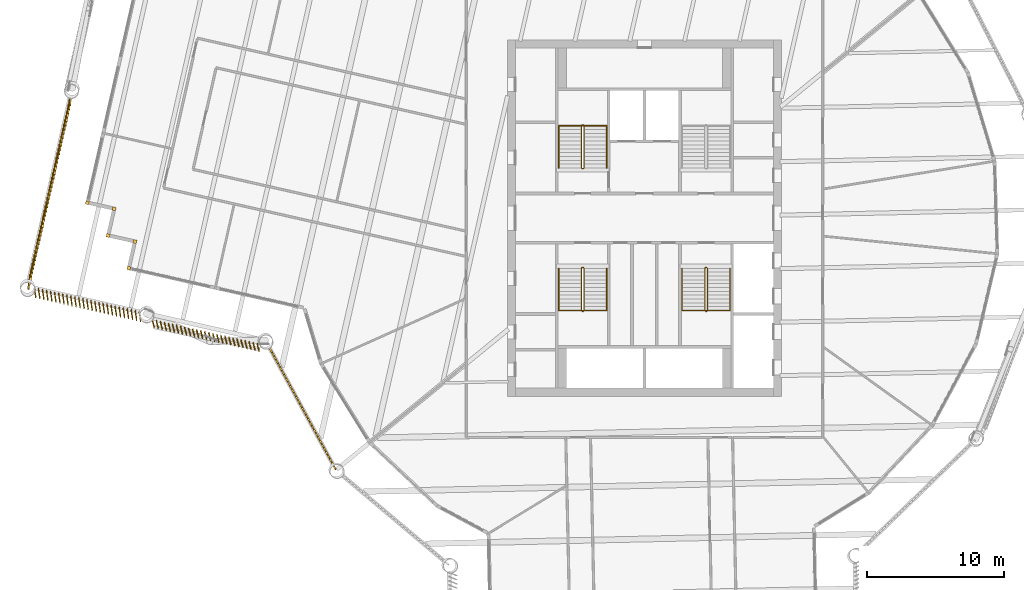
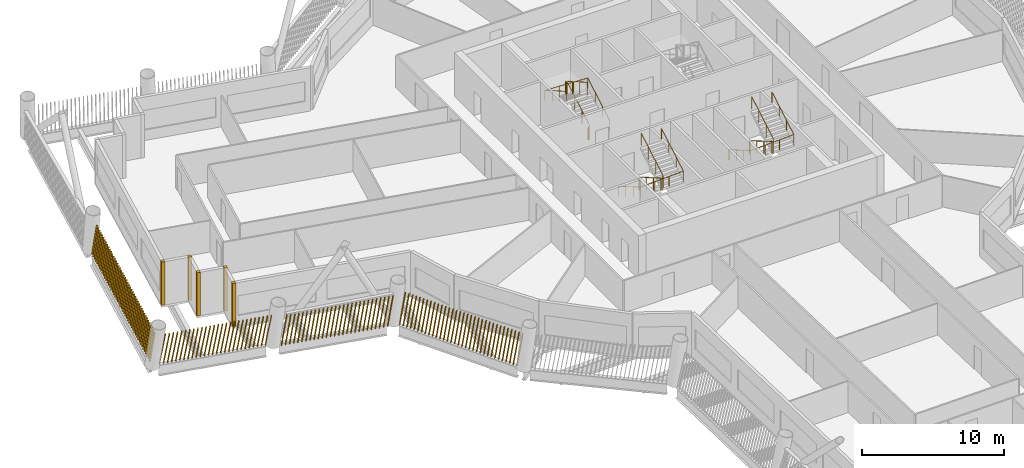
# One storey, part 20 of 23: 9 shading devices, 6 railings.
"""IFC4 building model written with IfcOpenShell, lengths in metres."""

from ifc_helpers import new_model, si_unit, direction, frame, frame_2d, origin, origin_2d, place, context, subcontext, project, spatial, rectangle, circle, composite_profile, extrude, material, type_object, element, save


model = new_model("IFC4")

# Units and contexts
model_context = context("Model", 3, precision=1e-05, world=origin(), true_north=direction((0.0, 1.0)))
body_context = subcontext(model_context, "Body", "Model", "MODEL_VIEW")
ifc_project = project(units=[si_unit("LENGTHUNIT", "METRE"), si_unit("AREAUNIT", "SQUARE_METRE"), si_unit("VOLUMEUNIT", "CUBIC_METRE"), si_unit("PLANEANGLEUNIT", "RADIAN"), si_unit("MASSUNIT", "GRAM", prefix="KILO")], contexts=[model_context])

# Site, building, storey
site_placement = place(None, origin())
site = spatial("IfcSite", under=ifc_project, at=site_placement, CompositionType="ELEMENT")
building_placement = place(site_placement, origin())
building = spatial("IfcBuilding", under=site, at=building_placement, Name="Tarsis Ring Headquarters", CompositionType="ELEMENT")
storey_placement = place(building_placement, frame((0.0, 0.0, 231.60009765625)))
storey = spatial("IfcBuildingStorey", under=building, at=storey_placement, Name="L54", CompositionType="ELEMENT", Elevation=231.60009765625)

# Railings
ifc_material_1 = material(Name="Steel S355", Category="steel")
railing_type_1 = type_object("IfcRailingType", Name="Core stair guard 1100", PredefinedType="GUARDRAIL", material=ifc_material_1)
railing_1_placement = place(storey_placement, frame((-4.5400390625, 3.610107421875, 0.0)))
element("IfcRailing", 1, at=railing_1_placement, inside=storey, type_object=railing_type_1, Name="L54 ST1 stair guard 1", PredefinedType="GUARDRAIL", context=body_context, shape_type="SweptSolid", body=[
    extrude(circle(Radius=0.02392578125, at=origin_2d()), frame((0.0, 0.0, 1.076171875), z_axis=(1.0, 0.0, 0.0), x_axis=(0.0, 1.0, 0.0)), (0.0, 0.0, 1.0), 0.080078125),
    extrude(circle(Radius=0.02392578125, at=origin_2d()), frame((0.080078125, 0.0, 1.076171875), z_axis=(0.282693820306, 0.281314826061, 0.917031173188), x_axis=(-0.705375805398, 0.708833529934, 0.0)), (0.0, 0.0, 1.0), 0.177001953125),
    extrude(circle(Radius=0.02392578125, at=origin_2d()), frame((0.130126953125, 0.0498046875, 1.23828125), z_axis=(0.0, 0.864890721111, 0.501960198159), x_axis=(-1.0, 0.0, 0.0)), (0.0, 0.0, 1.0), 3.561279296875),
    extrude(circle(Radius=0.02392578125, at=origin_2d()), frame((0.130126953125, 3.1298828125, 3.02587890625), z_axis=(-0.707106781187, 0.707106781187, 0.0), x_axis=(-0.707106781187, -0.707106781187, 0.0)), (0.0, 0.0, 1.0), 0.07080078125),
    extrude(circle(Radius=0.02392578125, at=origin_2d()), frame((0.080078125, 3.179931640625, 3.02587890625), z_axis=(-1.0, 0.0, 0.0), x_axis=(0.0, -1.0, 0.0)), (0.0, 0.0, 1.0), 0.080078125),
    extrude(circle(Radius=0.02392578125, at=origin_2d()), frame((0.0, 3.179931640625, 3.02587890625), z_axis=(-0.282583949758, -0.282583949758, 0.916674763849), x_axis=(0.707106781187, -0.707106781187, 0.0)), (0.0, 0.0, 1.0), 0.177001953125),
    extrude(circle(Radius=0.02392578125, at=origin_2d()), frame((-0.050048828125, 3.1298828125, 3.1884765625), z_axis=(0.0, -0.864890721111, 0.501960198159), x_axis=(1.0, 0.0, 0.0)), (0.0, 0.0, 1.0), 3.561279296875),
    extrude(circle(Radius=0.02099609375, at=origin_2d()), origin(), (0.0, 0.0, 1.0), 1.052001953125),
    extrude(circle(Radius=0.02099609375, at=origin_2d()), frame((0.080078125, 0.0, 0.0)), (0.0, 0.0, 1.0), 1.052001953125),
    extrude(circle(Radius=0.02099609375, at=origin_2d()), frame((0.130126953125, 0.0498046875, 0.162353515625)), (0.0, 0.0, 1.0), 1.052001953125),
    extrude(circle(Radius=0.02099609375, at=origin_2d()), frame((0.130126953125, 1.076416015625, 0.75830078125)), (0.0, 0.0, 1.0), 1.052001953125),
    extrude(circle(Radius=0.02099609375, at=origin_2d()), frame((0.130126953125, 2.103271484375, 1.35400390625)), (0.0, 0.0, 1.0), 1.052001953125),
    extrude(circle(Radius=0.02099609375, at=origin_2d()), frame((0.130126953125, 3.1298828125, 1.949951171875)), (0.0, 0.0, 1.0), 1.052001953125),
    extrude(circle(Radius=0.02099609375, at=origin_2d()), frame((0.080078125, 3.179931640625, 1.949951171875)), (0.0, 0.0, 1.0), 1.052001953125),
    extrude(circle(Radius=0.02099609375, at=origin_2d()), frame((0.0, 3.179931640625, 1.949951171875)), (0.0, 0.0, 1.0), 1.052001953125),
    extrude(circle(Radius=0.02099609375, at=origin_2d()), frame((-0.050048828125, 3.1298828125, 2.1123046875)), (0.0, 0.0, 1.0), 1.052001953125),
    extrude(circle(Radius=0.02099609375, at=origin_2d()), frame((-0.050048828125, 2.103271484375, 2.708251953125)), (0.0, 0.0, 1.0), 1.052001953125),
    extrude(circle(Radius=0.02099609375, at=origin_2d()), frame((-0.050048828125, 1.076416015625, 3.303955078125)), (0.0, 0.0, 1.0), 1.052001953125),
    extrude(circle(Radius=0.02099609375, at=origin_2d()), frame((-0.050048828125, 0.0498046875, 3.89990234375)), (0.0, 0.0, 1.0), 1.052001953125),
])
railing_2_placement = place(storey_placement, frame((-4.4599609375, -3.610107421875, 0.0)))
element("IfcRailing", 2, at=railing_2_placement, inside=storey, type_object=railing_type_1, Name="L54 ST3 stair guard 1", PredefinedType="GUARDRAIL", context=body_context, shape_type="SweptSolid", body=[
    extrude(circle(Radius=0.02392578125, at=origin_2d()), frame((0.0, 0.0, 1.076171875), z_axis=(-1.0, 0.0, 0.0), x_axis=(0.0, -1.0, 0.0)), (0.0, 0.0, 1.0), 0.080078125),
    extrude(circle(Radius=0.02392578125, at=origin_2d()), frame((-0.080078125, 0.0, 1.076171875), z_axis=(-0.282693820306, -0.281314826061, 0.917031173188), x_axis=(0.705375805398, -0.708833529934, 0.0)), (0.0, 0.0, 1.0), 0.177001953125),
    extrude(circle(Radius=0.02392578125, at=origin_2d()), frame((-0.130126953125, -0.0498046875, 1.23828125), z_axis=(0.0, -0.864890721111, 0.501960198159), x_axis=(1.0, 0.0, 0.0)), (0.0, 0.0, 1.0), 3.561279296875),
    extrude(circle(Radius=0.02392578125, at=origin_2d()), frame((-0.130126953125, -3.1298828125, 3.02587890625), z_axis=(0.707106781187, -0.707106781187, 0.0), x_axis=(0.707106781187, 0.707106781187, 0.0)), (0.0, 0.0, 1.0), 0.07080078125),
    extrude(circle(Radius=0.02392578125, at=origin_2d()), frame((-0.080078125, -3.179931640625, 3.02587890625), z_axis=(1.0, 0.0, 0.0), x_axis=(0.0, 1.0, 0.0)), (0.0, 0.0, 1.0), 0.080078125),
    extrude(circle(Radius=0.02392578125, at=origin_2d()), frame((0.0, -3.179931640625, 3.02587890625), z_axis=(0.282583949758, 0.282583949758, 0.916674763849), x_axis=(-0.707106781187, 0.707106781187, 0.0)), (0.0, 0.0, 1.0), 0.177001953125),
    extrude(circle(Radius=0.02392578125, at=origin_2d()), frame((0.050048828125, -3.1298828125, 3.1884765625), z_axis=(0.0, 0.864890721111, 0.501960198159), x_axis=(-1.0, 0.0, 0.0)), (0.0, 0.0, 1.0), 3.561279296875),
    extrude(circle(Radius=0.02099609375, at=origin_2d()), origin(), (0.0, 0.0, 1.0), 1.052001953125),
    extrude(circle(Radius=0.02099609375, at=origin_2d()), frame((-0.080078125, 0.0, 0.0)), (0.0, 0.0, 1.0), 1.052001953125),
    extrude(circle(Radius=0.02099609375, at=origin_2d()), frame((-0.130126953125, -0.0498046875, 0.162353515625)), (0.0, 0.0, 1.0), 1.052001953125),
    extrude(circle(Radius=0.02099609375, at=origin_2d()), frame((-0.130126953125, -1.076416015625, 0.75830078125)), (0.0, 0.0, 1.0), 1.052001953125),
    extrude(circle(Radius=0.02099609375, at=origin_2d()), frame((-0.130126953125, -2.103271484375, 1.35400390625)), (0.0, 0.0, 1.0), 1.052001953125),
    extrude(circle(Radius=0.02099609375, at=origin_2d()), frame((-0.130126953125, -3.1298828125, 1.949951171875)), (0.0, 0.0, 1.0), 1.052001953125),
    extrude(circle(Radius=0.02099609375, at=origin_2d()), frame((-0.080078125, -3.179931640625, 1.949951171875)), (0.0, 0.0, 1.0), 1.052001953125),
    extrude(circle(Radius=0.02099609375, at=origin_2d()), frame((0.0, -3.179931640625, 1.949951171875)), (0.0, 0.0, 1.0), 1.052001953125),
    extrude(circle(Radius=0.02099609375, at=origin_2d()), frame((0.050048828125, -3.1298828125, 2.1123046875)), (0.0, 0.0, 1.0), 1.052001953125),
    extrude(circle(Radius=0.02099609375, at=origin_2d()), frame((0.050048828125, -2.103271484375, 2.708251953125)), (0.0, 0.0, 1.0), 1.052001953125),
    extrude(circle(Radius=0.02099609375, at=origin_2d()), frame((0.050048828125, -1.076416015625, 3.303955078125)), (0.0, 0.0, 1.0), 1.052001953125),
    extrude(circle(Radius=0.02099609375, at=origin_2d()), frame((0.050048828125, -0.0498046875, 3.89990234375)), (0.0, 0.0, 1.0), 1.052001953125),
])
railing_3_placement = place(storey_placement, frame((4.5400390625, -3.610107421875, 0.0)))
element("IfcRailing", 3, at=railing_3_placement, inside=storey, type_object=railing_type_1, Name="L54 ST4 stair guard 1", PredefinedType="GUARDRAIL", context=body_context, shape_type="SweptSolid", body=[
    extrude(circle(Radius=0.02392578125, at=origin_2d()), frame((0.0, 0.0, 1.076171875), z_axis=(-1.0, 0.0, 0.0), x_axis=(0.0, -1.0, 0.0)), (0.0, 0.0, 1.0), 0.080078125),
    extrude(circle(Radius=0.02392578125, at=origin_2d()), frame((-0.080078125, 0.0, 1.076171875), z_axis=(-0.282693820306, -0.281314826061, 0.917031173188), x_axis=(0.705375805398, -0.708833529934, 0.0)), (0.0, 0.0, 1.0), 0.177001953125),
    extrude(circle(Radius=0.02392578125, at=origin_2d()), frame((-0.130126953125, -0.0498046875, 1.23828125), z_axis=(0.0, -0.864890721111, 0.501960198159), x_axis=(1.0, 0.0, 0.0)), (0.0, 0.0, 1.0), 3.561279296875),
    extrude(circle(Radius=0.02392578125, at=origin_2d()), frame((-0.130126953125, -3.1298828125, 3.02587890625), z_axis=(0.707106781187, -0.707106781187, 0.0), x_axis=(0.707106781187, 0.707106781187, 0.0)), (0.0, 0.0, 1.0), 0.07080078125),
    extrude(circle(Radius=0.02392578125, at=origin_2d()), frame((-0.080078125, -3.179931640625, 3.02587890625), z_axis=(1.0, 0.0, 0.0), x_axis=(0.0, 1.0, 0.0)), (0.0, 0.0, 1.0), 0.080078125),
    extrude(circle(Radius=0.02392578125, at=origin_2d()), frame((0.0, -3.179931640625, 3.02587890625), z_axis=(0.282583949758, 0.282583949758, 0.916674763849), x_axis=(-0.707106781187, 0.707106781187, 0.0)), (0.0, 0.0, 1.0), 0.177001953125),
    extrude(circle(Radius=0.02392578125, at=origin_2d()), frame((0.050048828125, -3.1298828125, 3.1884765625), z_axis=(0.0, 0.864890721111, 0.501960198159), x_axis=(-1.0, 0.0, 0.0)), (0.0, 0.0, 1.0), 3.561279296875),
    extrude(circle(Radius=0.02099609375, at=origin_2d()), origin(), (0.0, 0.0, 1.0), 1.052001953125),
    extrude(circle(Radius=0.02099609375, at=origin_2d()), frame((-0.080078125, 0.0, 0.0)), (0.0, 0.0, 1.0), 1.052001953125),
    extrude(circle(Radius=0.02099609375, at=origin_2d()), frame((-0.130126953125, -0.0498046875, 0.162353515625)), (0.0, 0.0, 1.0), 1.052001953125),
    extrude(circle(Radius=0.02099609375, at=origin_2d()), frame((-0.130126953125, -1.076416015625, 0.75830078125)), (0.0, 0.0, 1.0), 1.052001953125),
    extrude(circle(Radius=0.02099609375, at=origin_2d()), frame((-0.130126953125, -2.103271484375, 1.35400390625)), (0.0, 0.0, 1.0), 1.052001953125),
    extrude(circle(Radius=0.02099609375, at=origin_2d()), frame((-0.130126953125, -3.1298828125, 1.949951171875)), (0.0, 0.0, 1.0), 1.052001953125),
    extrude(circle(Radius=0.02099609375, at=origin_2d()), frame((-0.080078125, -3.179931640625, 1.949951171875)), (0.0, 0.0, 1.0), 1.052001953125),
    extrude(circle(Radius=0.02099609375, at=origin_2d()), frame((0.0, -3.179931640625, 1.949951171875)), (0.0, 0.0, 1.0), 1.052001953125),
    extrude(circle(Radius=0.02099609375, at=origin_2d()), frame((0.050048828125, -3.1298828125, 2.1123046875)), (0.0, 0.0, 1.0), 1.052001953125),
    extrude(circle(Radius=0.02099609375, at=origin_2d()), frame((0.050048828125, -2.103271484375, 2.708251953125)), (0.0, 0.0, 1.0), 1.052001953125),
    extrude(circle(Radius=0.02099609375, at=origin_2d()), frame((0.050048828125, -1.076416015625, 3.303955078125)), (0.0, 0.0, 1.0), 1.052001953125),
    extrude(circle(Radius=0.02099609375, at=origin_2d()), frame((0.050048828125, -0.0498046875, 3.89990234375)), (0.0, 0.0, 1.0), 1.052001953125),
])
railing_type_2 = type_object("IfcRailingType", Name="Core stair handrail 900", PredefinedType="HANDRAIL", material=ifc_material_1)
railing_4_placement = place(storey_placement, frame((-2.75, 3.659912109375, 0.162353515625)))
element("IfcRailing", 4, at=railing_4_placement, inside=storey, type_object=railing_type_2, Name="L54 ST1 stair handrail 1", PredefinedType="HANDRAIL", context=body_context, shape_type="SweptSolid", body=[
    extrude(circle(Radius=0.02392578125, at=origin_2d()), frame((0.0, 0.0, 0.8759765625), z_axis=(0.0, 0.864890721111, 0.501960198159), x_axis=(-1.0, 0.0, 0.0)), (0.0, 0.0, 1.0), 3.561279296875),
    extrude(circle(Radius=0.02392578125, at=origin_2d()), frame((0.0, 3.080078125, 2.66357421875), z_axis=(-0.998925869279, 0.0, 0.04633689335), x_axis=(0.0, -1.0, 0.0)), (0.0, 0.0, 1.0), 3.503662109375),
    extrude(circle(Radius=0.02392578125, at=origin_2d()), frame((-3.5, 3.080078125, 2.82568359375), z_axis=(0.0, -0.864890721111, 0.501960198159), x_axis=(1.0, 0.0, 0.0)), (0.0, 0.0, 1.0), 3.561279296875),
    extrude(circle(Radius=0.02099609375, at=origin_2d()), origin(), (0.0, 0.0, 1.0), 0.851806640625),
    extrude(circle(Radius=0.02099609375, at=origin_2d()), frame((0.0, 1.026611328125, 0.595947265625)), (0.0, 0.0, 1.0), 0.851806640625),
    extrude(circle(Radius=0.02099609375, at=origin_2d()), frame((0.0, 2.053466796875, 1.191650390625)), (0.0, 0.0, 1.0), 0.851806640625),
    extrude(circle(Radius=0.02099609375, at=origin_2d()), frame((0.0, 3.080078125, 1.78759765625)), (0.0, 0.0, 1.0), 0.851806640625),
    extrude(circle(Radius=0.02099609375, at=origin_2d()), frame((-1.166748046875, 3.080078125, 1.841796875)), (0.0, 0.0, 1.0), 0.851806640625),
    extrude(circle(Radius=0.02099609375, at=origin_2d()), frame((-2.333251953125, 3.080078125, 1.895751953125)), (0.0, 0.0, 1.0), 0.851806640625),
    extrude(circle(Radius=0.02099609375, at=origin_2d()), frame((-3.5, 3.080078125, 1.949951171875)), (0.0, 0.0, 1.0), 0.851806640625),
    extrude(circle(Radius=0.02099609375, at=origin_2d()), frame((-3.5, 2.053466796875, 2.5458984375)), (0.0, 0.0, 1.0), 0.851806640625),
    extrude(circle(Radius=0.02099609375, at=origin_2d()), frame((-3.5, 1.026611328125, 3.1416015625)), (0.0, 0.0, 1.0), 0.851806640625),
    extrude(circle(Radius=0.02099609375, at=origin_2d()), frame((-3.5, 0.0, 3.737548828125)), (0.0, 0.0, 1.0), 0.851806640625),
])
railing_5_placement = place(storey_placement, frame((-6.25, -3.659912109375, 0.162353515625)))
element("IfcRailing", 5, at=railing_5_placement, inside=storey, type_object=railing_type_2, Name="L54 ST3 stair handrail 1", PredefinedType="HANDRAIL", context=body_context, shape_type="SweptSolid", body=[
    extrude(circle(Radius=0.02392578125, at=origin_2d()), frame((0.0, 0.0, 0.8759765625), z_axis=(0.0, -0.864890721111, 0.501960198159), x_axis=(1.0, 0.0, 0.0)), (0.0, 0.0, 1.0), 3.561279296875),
    extrude(circle(Radius=0.02392578125, at=origin_2d()), frame((0.0, -3.080078125, 2.66357421875), z_axis=(0.998925869279, 0.0, 0.04633689335), x_axis=(0.0, 1.0, 0.0)), (0.0, 0.0, 1.0), 3.503662109375),
    extrude(circle(Radius=0.02392578125, at=origin_2d()), frame((3.5, -3.080078125, 2.82568359375), z_axis=(0.0, 0.864890721111, 0.501960198159), x_axis=(-1.0, 0.0, 0.0)), (0.0, 0.0, 1.0), 3.561279296875),
    extrude(circle(Radius=0.02099609375, at=origin_2d()), origin(), (0.0, 0.0, 1.0), 0.851806640625),
    extrude(circle(Radius=0.02099609375, at=origin_2d()), frame((0.0, -1.026611328125, 0.595947265625)), (0.0, 0.0, 1.0), 0.851806640625),
    extrude(circle(Radius=0.02099609375, at=origin_2d()), frame((0.0, -2.053466796875, 1.191650390625)), (0.0, 0.0, 1.0), 0.851806640625),
    extrude(circle(Radius=0.02099609375, at=origin_2d()), frame((0.0, -3.080078125, 1.78759765625)), (0.0, 0.0, 1.0), 0.851806640625),
    extrude(circle(Radius=0.02099609375, at=origin_2d()), frame((1.166748046875, -3.080078125, 1.841796875)), (0.0, 0.0, 1.0), 0.851806640625),
    extrude(circle(Radius=0.02099609375, at=origin_2d()), frame((2.333251953125, -3.080078125, 1.895751953125)), (0.0, 0.0, 1.0), 0.851806640625),
    extrude(circle(Radius=0.02099609375, at=origin_2d()), frame((3.5, -3.080078125, 1.949951171875)), (0.0, 0.0, 1.0), 0.851806640625),
    extrude(circle(Radius=0.02099609375, at=origin_2d()), frame((3.5, -2.053466796875, 2.5458984375)), (0.0, 0.0, 1.0), 0.851806640625),
    extrude(circle(Radius=0.02099609375, at=origin_2d()), frame((3.5, -1.026611328125, 3.1416015625)), (0.0, 0.0, 1.0), 0.851806640625),
    extrude(circle(Radius=0.02099609375, at=origin_2d()), frame((3.5, 0.0, 3.737548828125)), (0.0, 0.0, 1.0), 0.851806640625),
])
railing_6_placement = place(storey_placement, frame((2.75, -3.659912109375, 0.162353515625)))
element("IfcRailing", 6, at=railing_6_placement, inside=storey, type_object=railing_type_2, Name="L54 ST4 stair handrail 1", PredefinedType="HANDRAIL", context=body_context, shape_type="SweptSolid", body=[
    extrude(circle(Radius=0.02392578125, at=origin_2d()), frame((0.0, 0.0, 0.8759765625), z_axis=(0.0, -0.864890721111, 0.501960198159), x_axis=(1.0, 0.0, 0.0)), (0.0, 0.0, 1.0), 3.561279296875),
    extrude(circle(Radius=0.02392578125, at=origin_2d()), frame((0.0, -3.080078125, 2.66357421875), z_axis=(0.998925869279, 0.0, 0.04633689335), x_axis=(0.0, 1.0, 0.0)), (0.0, 0.0, 1.0), 3.503662109375),
    extrude(circle(Radius=0.02392578125, at=origin_2d()), frame((3.5, -3.080078125, 2.82568359375), z_axis=(0.0, 0.864890721111, 0.501960198159), x_axis=(-1.0, 0.0, 0.0)), (0.0, 0.0, 1.0), 3.561279296875),
    extrude(circle(Radius=0.02099609375, at=origin_2d()), origin(), (0.0, 0.0, 1.0), 0.851806640625),
    extrude(circle(Radius=0.02099609375, at=origin_2d()), frame((0.0, -1.026611328125, 0.595947265625)), (0.0, 0.0, 1.0), 0.851806640625),
    extrude(circle(Radius=0.02099609375, at=origin_2d()), frame((0.0, -2.053466796875, 1.191650390625)), (0.0, 0.0, 1.0), 0.851806640625),
    extrude(circle(Radius=0.02099609375, at=origin_2d()), frame((0.0, -3.080078125, 1.78759765625)), (0.0, 0.0, 1.0), 0.851806640625),
    extrude(circle(Radius=0.02099609375, at=origin_2d()), frame((1.166748046875, -3.080078125, 1.841796875)), (0.0, 0.0, 1.0), 0.851806640625),
    extrude(circle(Radius=0.02099609375, at=origin_2d()), frame((2.333251953125, -3.080078125, 1.895751953125)), (0.0, 0.0, 1.0), 0.851806640625),
    extrude(circle(Radius=0.02099609375, at=origin_2d()), frame((3.5, -3.080078125, 1.949951171875)), (0.0, 0.0, 1.0), 0.851806640625),
    extrude(circle(Radius=0.02099609375, at=origin_2d()), frame((3.5, -2.053466796875, 2.5458984375)), (0.0, 0.0, 1.0), 0.851806640625),
    extrude(circle(Radius=0.02099609375, at=origin_2d()), frame((3.5, -1.026611328125, 3.1416015625)), (0.0, 0.0, 1.0), 0.851806640625),
    extrude(circle(Radius=0.02099609375, at=origin_2d()), frame((3.5, 0.0, 3.737548828125)), (0.0, 0.0, 1.0), 0.851806640625),
])

# Shading devices
ifc_material_2 = material(Name="Terracotta baguette", Category="masonry")
shading_device_type_1 = type_object("IfcShadingDeviceType", Name="Terracotta baguette screen", PredefinedType="USERDEFINED", material=ifc_material_2)
shading_device_1_placement = place(storey_placement, frame((-41.853515625, 8.965576171875, 0.0), z_axis=(0.0, 0.0, 1.0), x_axis=(-0.220858027421, -0.975302963291, 0.0)))
element("IfcShadingDevice", 7, at=shading_device_1_placement, inside=storey, type_object=shading_device_type_1, Name="Baguette screen L54-18", ObjectType="Terracotta baguette screen", PredefinedType="USERDEFINED", context=body_context, shape_type="SweptSolid", body=[
    extrude(composite_profile([rectangle(XDim=0.06005859375, YDim=0.1201171875, at=frame_2d((0.030029296875, 0.0))), rectangle(XDim=0.06005859375, YDim=0.1201171875, at=frame_2d((0.33544921875, 0.0))), rectangle(XDim=0.06005859375, YDim=0.1201171875, at=frame_2d((0.640625, 0.0))), rectangle(XDim=0.06005859375, YDim=0.1201171875, at=frame_2d((0.946044921875, 0.0))), rectangle(XDim=0.06005859375, YDim=0.1201171875, at=frame_2d((1.25146484375, 0.0))), rectangle(XDim=0.06005859375, YDim=0.1201171875, at=frame_2d((1.556640625, 0.0))), rectangle(XDim=0.06005859375, YDim=0.1201171875, at=frame_2d((1.862060546875, 0.0))), rectangle(XDim=0.06005859375, YDim=0.1201171875, at=frame_2d((2.16748046875, 0.0))), rectangle(XDim=0.06005859375, YDim=0.1201171875, at=frame_2d((2.47265625, 0.0))), rectangle(XDim=0.06005859375, YDim=0.1201171875, at=frame_2d((2.778076171875, 0.0))), rectangle(XDim=0.06005859375, YDim=0.1201171875, at=frame_2d((3.08349609375, 0.0))), rectangle(XDim=0.06005859375, YDim=0.1201171875, at=frame_2d((3.388671875, 0.0))), rectangle(XDim=0.06005859375, YDim=0.1201171875, at=frame_2d((3.694091796875, 0.0))), rectangle(XDim=0.06005859375, YDim=0.1201171875, at=frame_2d((3.99951171875, 0.0))), rectangle(XDim=0.06005859375, YDim=0.1201171875, at=frame_2d((4.3046875, 0.0))), rectangle(XDim=0.06005859375, YDim=0.1201171875, at=frame_2d((4.610107421875, 0.0))), rectangle(XDim=0.06005859375, YDim=0.1201171875, at=frame_2d((4.91552734375, 0.0))), rectangle(XDim=0.06005859375, YDim=0.1201171875, at=frame_2d((5.220703125, 0.0))), rectangle(XDim=0.06005859375, YDim=0.1201171875, at=frame_2d((5.526123046875, 0.0))), rectangle(XDim=0.06005859375, YDim=0.1201171875, at=frame_2d((5.83154296875, 0.0))), rectangle(XDim=0.06005859375, YDim=0.1201171875, at=frame_2d((6.13671875, 0.0))), rectangle(XDim=0.06005859375, YDim=0.1201171875, at=frame_2d((6.442138671875, 0.0))), rectangle(XDim=0.06005859375, YDim=0.1201171875, at=frame_2d((6.74755859375, 0.0))), rectangle(XDim=0.06005859375, YDim=0.1201171875, at=frame_2d((7.052734375, 0.0))), rectangle(XDim=0.06005859375, YDim=0.1201171875, at=frame_2d((7.358154296875, 0.0))), rectangle(XDim=0.06005859375, YDim=0.1201171875, at=frame_2d((7.66357421875, 0.0))), rectangle(XDim=0.06005859375, YDim=0.1201171875, at=frame_2d((7.96875, 0.0))), rectangle(XDim=0.06005859375, YDim=0.1201171875, at=frame_2d((8.274169921875, 0.0))), rectangle(XDim=0.06005859375, YDim=0.1201171875, at=frame_2d((8.57958984375, 0.0))), rectangle(XDim=0.06005859375, YDim=0.1201171875, at=frame_2d((8.884765625, 0.0))), rectangle(XDim=0.06005859375, YDim=0.1201171875, at=frame_2d((9.190185546875, 0.0))), rectangle(XDim=0.06005859375, YDim=0.1201171875, at=frame_2d((9.49560546875, 0.0))), rectangle(XDim=0.06005859375, YDim=0.1201171875, at=frame_2d((9.80078125, 0.0))), rectangle(XDim=0.06005859375, YDim=0.1201171875, at=frame_2d((10.106201171875, 0.0))), rectangle(XDim=0.06005859375, YDim=0.1201171875, at=frame_2d((10.41162109375, 0.0))), rectangle(XDim=0.06005859375, YDim=0.1201171875, at=frame_2d((10.716796875, 0.0))), rectangle(XDim=0.06005859375, YDim=0.1201171875, at=frame_2d((11.022216796875, 0.0))), rectangle(XDim=0.06005859375, YDim=0.1201171875, at=frame_2d((11.32763671875, 0.0))), rectangle(XDim=0.06005859375, YDim=0.1201171875, at=frame_2d((11.6328125, 0.0))), rectangle(XDim=0.06005859375, YDim=0.1201171875, at=frame_2d((11.938232421875, 0.0))), rectangle(XDim=0.06005859375, YDim=0.1201171875, at=frame_2d((12.24365234375, 0.0))), rectangle(XDim=0.06005859375, YDim=0.1201171875, at=frame_2d((12.548828125, 0.0))), rectangle(XDim=0.06005859375, YDim=0.1201171875, at=frame_2d((12.854248046875, 0.0))), rectangle(XDim=0.06005859375, YDim=0.1201171875, at=frame_2d((13.15966796875, 0.0))), rectangle(XDim=0.06005859375, YDim=0.1201171875, at=frame_2d((13.46484375, 0.0))), rectangle(XDim=0.06005859375, YDim=0.1201171875, at=frame_2d((13.770263671875, 0.0)))]), origin(), (0.235666721163, 0.042780299668, 0.970891879921), 3.038330078125),
])
shading_device_2_placement = place(storey_placement, frame((-44.524169921875, -5.091796875, 0.0), z_axis=(0.0, 0.0, 1.0), x_axis=(0.975314363395, -0.220873111502, 0.0)))
element("IfcShadingDevice", 8, at=shading_device_2_placement, inside=storey, type_object=shading_device_type_1, Name="Baguette screen L54-19", ObjectType="Terracotta baguette screen", PredefinedType="USERDEFINED", context=body_context, shape_type="SweptSolid", body=[
    extrude(composite_profile([rectangle(XDim=0.06005859375, YDim=0.1201171875, at=frame_2d((0.030029296875, 0.0))), rectangle(XDim=0.06005859375, YDim=0.1201171875, at=frame_2d((0.33154296875, 0.0))), rectangle(XDim=0.06005859375, YDim=0.1201171875, at=frame_2d((0.63330078125, 0.0))), rectangle(XDim=0.06005859375, YDim=0.1201171875, at=frame_2d((0.934814453125, 0.0))), rectangle(XDim=0.06005859375, YDim=0.1201171875, at=frame_2d((1.236572265625, 0.0))), rectangle(XDim=0.06005859375, YDim=0.1201171875, at=frame_2d((1.5380859375, 0.0))), rectangle(XDim=0.06005859375, YDim=0.1201171875, at=frame_2d((1.83984375, 0.0))), rectangle(XDim=0.06005859375, YDim=0.1201171875, at=frame_2d((2.141357421875, 0.0))), rectangle(XDim=0.06005859375, YDim=0.1201171875, at=frame_2d((2.443115234375, 0.0))), rectangle(XDim=0.06005859375, YDim=0.1201171875, at=frame_2d((2.74462890625, 0.0))), rectangle(XDim=0.06005859375, YDim=0.1201171875, at=frame_2d((3.04638671875, 0.0))), rectangle(XDim=0.06005859375, YDim=0.1201171875, at=frame_2d((3.347900390625, 0.0))), rectangle(XDim=0.06005859375, YDim=0.1201171875, at=frame_2d((3.649658203125, 0.0))), rectangle(XDim=0.06005859375, YDim=0.1201171875, at=frame_2d((3.951171875, 0.0))), rectangle(XDim=0.06005859375, YDim=0.1201171875, at=frame_2d((4.252685546875, 0.0))), rectangle(XDim=0.06005859375, YDim=0.1201171875, at=frame_2d((4.554443359375, 0.0))), rectangle(XDim=0.06005859375, YDim=0.1201171875, at=frame_2d((4.85595703125, 0.0))), rectangle(XDim=0.06005859375, YDim=0.1201171875, at=frame_2d((5.15771484375, 0.0))), rectangle(XDim=0.06005859375, YDim=0.1201171875, at=frame_2d((5.459228515625, 0.0))), rectangle(XDim=0.06005859375, YDim=0.1201171875, at=frame_2d((5.760986328125, 0.0))), rectangle(XDim=0.06005859375, YDim=0.1201171875, at=frame_2d((6.0625, 0.0))), rectangle(XDim=0.06005859375, YDim=0.1201171875, at=frame_2d((6.3642578125, 0.0))), rectangle(XDim=0.06005859375, YDim=0.1201171875, at=frame_2d((6.665771484375, 0.0))), rectangle(XDim=0.06005859375, YDim=0.1201171875, at=frame_2d((6.967529296875, 0.0))), rectangle(XDim=0.06005859375, YDim=0.1201171875, at=frame_2d((7.26904296875, 0.0))), rectangle(XDim=0.06005859375, YDim=0.1201171875, at=frame_2d((7.57080078125, 0.0))), rectangle(XDim=0.06005859375, YDim=0.1201171875, at=frame_2d((7.872314453125, 0.0)))]), origin(), (0.083634508269, -0.211416456754, 0.97381125011), 3.029296875),
])
shading_device_3_placement = place(storey_placement, frame((-35.924560546875, -7.423828125, 0.0), z_axis=(0.0, 0.0, 1.0), x_axis=(0.975314363395, -0.220873111502, 0.0)))
element("IfcShadingDevice", 9, at=shading_device_3_placement, inside=storey, type_object=shading_device_type_1, Name="Baguette screen L54-20", ObjectType="Terracotta baguette screen", PredefinedType="USERDEFINED", context=body_context, shape_type="SweptSolid", body=[
    extrude(composite_profile([rectangle(XDim=0.06005859375, YDim=0.1201171875, at=frame_2d((0.030029296875, 0.0))), rectangle(XDim=0.06005859375, YDim=0.1201171875, at=frame_2d((0.33154296875, 0.0))), rectangle(XDim=0.06005859375, YDim=0.1201171875, at=frame_2d((0.63330078125, 0.0))), rectangle(XDim=0.06005859375, YDim=0.1201171875, at=frame_2d((0.934814453125, 0.0))), rectangle(XDim=0.06005859375, YDim=0.1201171875, at=frame_2d((1.236572265625, 0.0))), rectangle(XDim=0.06005859375, YDim=0.1201171875, at=frame_2d((1.5380859375, 0.0))), rectangle(XDim=0.06005859375, YDim=0.1201171875, at=frame_2d((1.83984375, 0.0))), rectangle(XDim=0.06005859375, YDim=0.1201171875, at=frame_2d((2.141357421875, 0.0))), rectangle(XDim=0.06005859375, YDim=0.1201171875, at=frame_2d((2.443115234375, 0.0))), rectangle(XDim=0.06005859375, YDim=0.1201171875, at=frame_2d((2.74462890625, 0.0))), rectangle(XDim=0.06005859375, YDim=0.1201171875, at=frame_2d((3.04638671875, 0.0))), rectangle(XDim=0.06005859375, YDim=0.1201171875, at=frame_2d((3.347900390625, 0.0))), rectangle(XDim=0.06005859375, YDim=0.1201171875, at=frame_2d((3.649658203125, 0.0))), rectangle(XDim=0.06005859375, YDim=0.1201171875, at=frame_2d((3.951171875, 0.0))), rectangle(XDim=0.06005859375, YDim=0.1201171875, at=frame_2d((4.252685546875, 0.0))), rectangle(XDim=0.06005859375, YDim=0.1201171875, at=frame_2d((4.554443359375, 0.0))), rectangle(XDim=0.06005859375, YDim=0.1201171875, at=frame_2d((4.85595703125, 0.0))), rectangle(XDim=0.06005859375, YDim=0.1201171875, at=frame_2d((5.15771484375, 0.0))), rectangle(XDim=0.06005859375, YDim=0.1201171875, at=frame_2d((5.459228515625, 0.0))), rectangle(XDim=0.06005859375, YDim=0.1201171875, at=frame_2d((5.760986328125, 0.0))), rectangle(XDim=0.06005859375, YDim=0.1201171875, at=frame_2d((6.0625, 0.0))), rectangle(XDim=0.06005859375, YDim=0.1201171875, at=frame_2d((6.3642578125, 0.0))), rectangle(XDim=0.06005859375, YDim=0.1201171875, at=frame_2d((6.665771484375, 0.0))), rectangle(XDim=0.06005859375, YDim=0.1201171875, at=frame_2d((6.967529296875, 0.0))), rectangle(XDim=0.06005859375, YDim=0.1201171875, at=frame_2d((7.26904296875, 0.0))), rectangle(XDim=0.06005859375, YDim=0.1201171875, at=frame_2d((7.57080078125, 0.0))), rectangle(XDim=0.06005859375, YDim=0.1201171875, at=frame_2d((7.872314453125, 0.0)))]), origin(), (0.086079220652, -0.16365132373, 0.982755621715), 3.001708984375),
])
shading_device_4_placement = place(storey_placement, frame((-27.407958984375, -9.35302734375, 0.0), z_axis=(0.0, 0.0, 1.0), x_axis=(0.478001249219, -0.878351030606, 0.0)))
element("IfcShadingDevice", 10, at=shading_device_4_placement, inside=storey, type_object=shading_device_type_1, Name="Baguette screen L54-21", ObjectType="Terracotta baguette screen", PredefinedType="USERDEFINED", context=body_context, shape_type="SweptSolid", body=[
    extrude(composite_profile([rectangle(XDim=0.06005859375, YDim=0.1201171875, at=frame_2d((0.030029296875, 0.0))), rectangle(XDim=0.06005859375, YDim=0.1201171875, at=frame_2d((0.33349609375, 0.0))), rectangle(XDim=0.06005859375, YDim=0.1201171875, at=frame_2d((0.636962890625, 0.0))), rectangle(XDim=0.06005859375, YDim=0.1201171875, at=frame_2d((0.9404296875, 0.0))), rectangle(XDim=0.06005859375, YDim=0.1201171875, at=frame_2d((1.243896484375, 0.0))), rectangle(XDim=0.06005859375, YDim=0.1201171875, at=frame_2d((1.54736328125, 0.0))), rectangle(XDim=0.06005859375, YDim=0.1201171875, at=frame_2d((1.85107421875, 0.0))), rectangle(XDim=0.06005859375, YDim=0.1201171875, at=frame_2d((2.154541015625, 0.0))), rectangle(XDim=0.06005859375, YDim=0.1201171875, at=frame_2d((2.4580078125, 0.0))), rectangle(XDim=0.06005859375, YDim=0.1201171875, at=frame_2d((2.761474609375, 0.0))), rectangle(XDim=0.06005859375, YDim=0.1201171875, at=frame_2d((3.06494140625, 0.0))), rectangle(XDim=0.06005859375, YDim=0.1201171875, at=frame_2d((3.368408203125, 0.0))), rectangle(XDim=0.06005859375, YDim=0.1201171875, at=frame_2d((3.671875, 0.0))), rectangle(XDim=0.06005859375, YDim=0.1201171875, at=frame_2d((3.975341796875, 0.0))), rectangle(XDim=0.06005859375, YDim=0.1201171875, at=frame_2d((4.27880859375, 0.0))), rectangle(XDim=0.06005859375, YDim=0.1201171875, at=frame_2d((4.582275390625, 0.0))), rectangle(XDim=0.06005859375, YDim=0.1201171875, at=frame_2d((4.8857421875, 0.0))), rectangle(XDim=0.06005859375, YDim=0.1201171875, at=frame_2d((5.189453125, 0.0))), rectangle(XDim=0.06005859375, YDim=0.1201171875, at=frame_2d((5.492919921875, 0.0))), rectangle(XDim=0.06005859375, YDim=0.1201171875, at=frame_2d((5.79638671875, 0.0))), rectangle(XDim=0.06005859375, YDim=0.1201171875, at=frame_2d((6.099853515625, 0.0))), rectangle(XDim=0.06005859375, YDim=0.1201171875, at=frame_2d((6.4033203125, 0.0))), rectangle(XDim=0.06005859375, YDim=0.1201171875, at=frame_2d((6.706787109375, 0.0))), rectangle(XDim=0.06005859375, YDim=0.1201171875, at=frame_2d((7.01025390625, 0.0))), rectangle(XDim=0.06005859375, YDim=0.1201171875, at=frame_2d((7.313720703125, 0.0))), rectangle(XDim=0.06005859375, YDim=0.1201171875, at=frame_2d((7.6171875, 0.0))), rectangle(XDim=0.06005859375, YDim=0.1201171875, at=frame_2d((7.920654296875, 0.0))), rectangle(XDim=0.06005859375, YDim=0.1201171875, at=frame_2d((8.224365234375, 0.0))), rectangle(XDim=0.06005859375, YDim=0.1201171875, at=frame_2d((8.52783203125, 0.0))), rectangle(XDim=0.06005859375, YDim=0.1201171875, at=frame_2d((8.831298828125, 0.0))), rectangle(XDim=0.06005859375, YDim=0.1201171875, at=frame_2d((9.134765625, 0.0))), rectangle(XDim=0.06005859375, YDim=0.1201171875, at=frame_2d((9.438232421875, 0.0))), rectangle(XDim=0.06005859375, YDim=0.1201171875, at=frame_2d((9.74169921875, 0.0)))]), origin(), (0.160031147395, 0.001340402756, 0.987111055142), 2.988525390625),
])
shading_device_type_2 = type_object("IfcShadingDeviceType", Name="Terracotta corner baguette 250x250", PredefinedType="USERDEFINED", material=ifc_material_2)
for number, where, z_axis, x_axis, name in (
    (11, (-37.61181640625, -3.658203125, 0.0), (0.0, 0.0, 1.0), (-0.220867575896, -0.975303805959, 0.0), "Corner baguette L54-01"),
    (12, (-40.629638671875, 1.12646484375, 0.0), (0.0, 0.0, 1.0), (-0.22086767803, -0.97530378283, 0.0), "Corner baguette L54-37"),
    (13, (-38.678955078125, 0.684814453125, 0.0), (0.0, 0.0, 1.0), (0.975303832943, -0.22086745674, 0.0), "Corner baguette L54-38"),
    (14, (-39.12060546875, -1.265869140625, 0.0), (0.0, 0.0, 1.0), (-0.220867933364, -0.975303725007, 0.0), "Corner baguette L54-39"),
    (15, (-37.170166015625, -1.70751953125, 0.0), (0.0, 0.0, 1.0), (0.975303725007, -0.220867933364, 0.0), "Corner baguette L54-40"),
):
    element("IfcShadingDevice", number, at=place(storey_placement, frame(where, z_axis=z_axis, x_axis=x_axis)), inside=storey, type_object=shading_device_type_2, Name=name, ObjectType="Terracotta corner baguette", PredefinedType="USERDEFINED", context=body_context, shape_type="SweptSolid", body=[
        extrude(rectangle(XDim=0.25, YDim=0.25, at=origin_2d()), origin(), (0.0, 0.0, 1.0), 3.739990234375),
    ])

save(model, "model.ifc")
